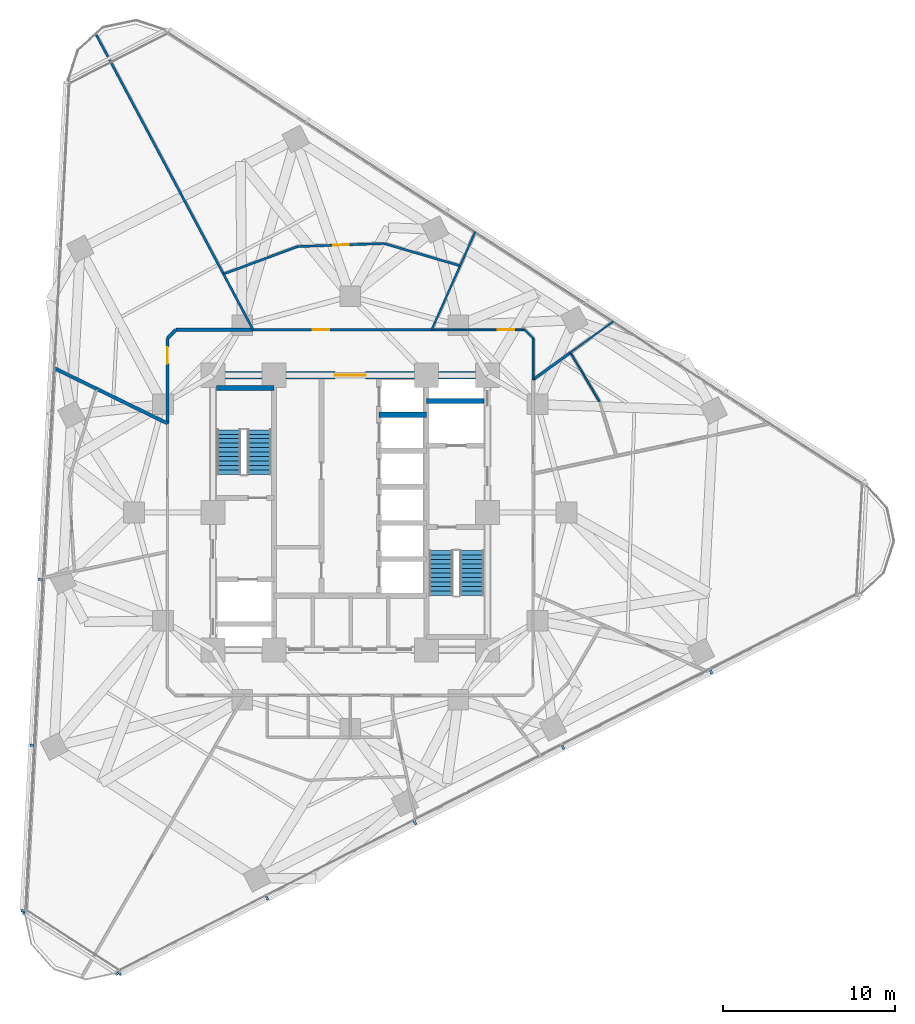
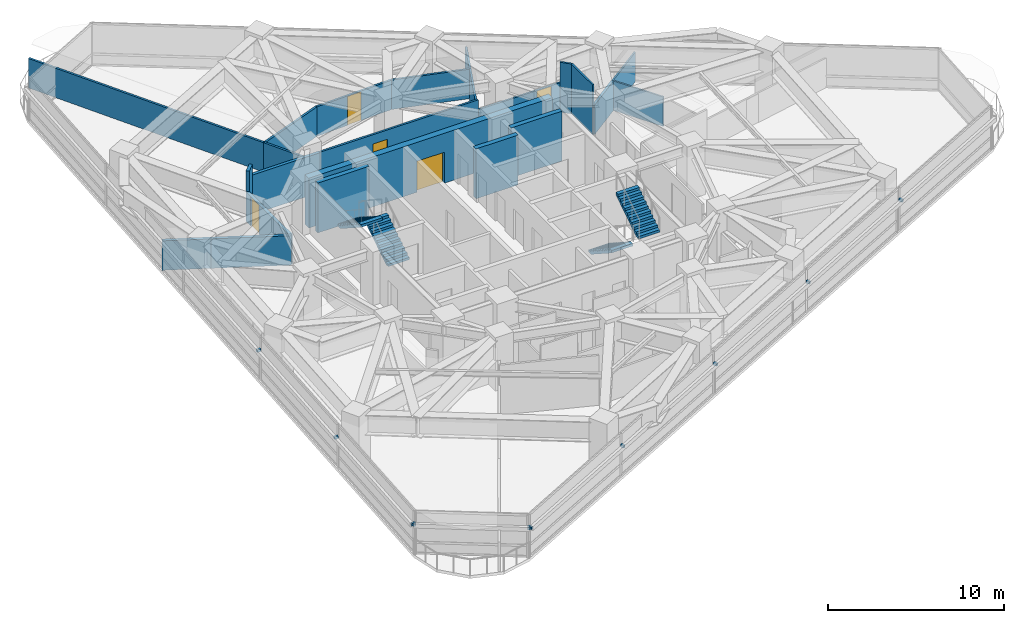
# One storey, part 11 of 15: 23 walls, 10 discrete accessories, 5 doors, 4 stair flights, 5 openings, 2 elements without a shape of their own.
"""IFC4 building model written with IfcOpenShell, lengths in metres."""

from ifc_helpers import new_model, si_unit, direction, frame, frame_2d, origin, origin_2d, place, context, subcontext, project, spatial, polyline, rectangle, outline, extrude, material, layer, layer_set, type_object, element, fill, aggregate, save


model = new_model("IFC4")

# Units and contexts
model_context = context("Model", 3, precision=1e-05, world=origin(), true_north=direction((0.0, 1.0)))
body_context = subcontext(model_context, "Body", "Model", "MODEL_VIEW")
ifc_project = project(units=[si_unit("LENGTHUNIT", "METRE"), si_unit("AREAUNIT", "SQUARE_METRE"), si_unit("VOLUMEUNIT", "CUBIC_METRE"), si_unit("PLANEANGLEUNIT", "RADIAN"), si_unit("MASSUNIT", "GRAM", prefix="KILO")], contexts=[model_context])

# Site, building, storey
site_placement = place(None, origin())
site = spatial("IfcSite", under=ifc_project, at=site_placement, CompositionType="ELEMENT")
building_placement = place(site_placement, origin())
building = spatial("IfcBuilding", under=site, at=building_placement, Name="Terralouvre Media Tower", CompositionType="ELEMENT")
storey_placement = place(building_placement, frame((0.0, 0.0, 145.800048828125)))
storey = spatial("IfcBuildingStorey", under=building, at=storey_placement, Name="L37", CompositionType="ELEMENT", Elevation=145.800048828125)

# Walls
ifc_material_1 = material(Name="Concrete C50/60", Category="concrete")
ifc_layer_1 = layer(ifc_material_1, 0.300048828125, Name="Core Internal Shaft Wall CW-300")
ifc_layer_set_1 = layer_set([ifc_layer_1], Name="Concrete C50/60")
wall_type_1 = type_object("IfcWallType", Name="Core Internal Shaft Wall CW-300", PredefinedType="SHEAR", material=ifc_layer_set_1)
for number, where, z_axis, x_axis, name in (
    (1, (-7.7900390625, 7.260009765625, 0.0), (0.0, 0.0, 1.0), (1.0, 0.0, 0.0), "L37 Core Shaft Wall ST1F"),
    (2, (4.449951171875, 6.5, 0.0), (0.0, 0.0, 1.0), (1.0, 0.0, 0.0), "L37 Core Shaft Wall FF2N"),
):
    element("IfcWall", number, at=place(storey_placement, frame(where, z_axis=z_axis, x_axis=x_axis)), inside=storey, type_object=wall_type_1, Name=name, PredefinedType="SHEAR", context=body_context, shape_type="SweptSolid", body=[
        extrude(rectangle(XDim=3.340087890625, YDim=0.300048828125, at=frame_2d((1.669921875, 0.0))), origin(), (0.0, 0.0, 1.0), 3.4599609375),
    ])
wall_1_placement = place(storey_placement, frame((1.679931640625, 5.699951171875, 0.0), z_axis=(0.0, 0.0, 1.0), x_axis=(1.0, 0.0, 0.0)))
element("IfcWall", 3, at=wall_1_placement, inside=storey, type_object=wall_type_1, Name="L37 Core Shaft Wall PLMD2", PredefinedType="SHEAR", context=body_context, shape_type="SweptSolid", body=[
    extrude(rectangle(XDim=2.77001953125, YDim=0.300048828125, at=frame_2d((1.385009765625, 0.0))), origin(), (0.0, 0.0, 1.0), 3.4599609375),
])

# Wall, opening, door
ifc_material_2 = material(Name="Concrete C60/75", Category="concrete")
ifc_layer_2 = layer(ifc_material_2, 0.419921875, Name="Core Reinforced Concrete Shear Wall CW-420")
ifc_layer_set_2 = layer_set([ifc_layer_2], Name="Concrete C60/75")
wall_type_2 = type_object("IfcWallType", Name="Core Reinforced Concrete Shear Wall CW-420", PredefinedType="SHEAR", material=ifc_layer_set_2)
wall_2_placement = place(storey_placement, frame((-8.0, 8.0, 0.0), z_axis=(0.0, 0.0, 1.0), x_axis=(1.0, 0.0, 0.0)))
wall_2 = element("IfcWall", 4, at=wall_2_placement, inside=storey, type_object=wall_type_2, Name="L37 N Core Shear Wall", PredefinedType="SHEAR", context=body_context, shape_type="SweptSolid", body=[
    extrude(rectangle(XDim=16.0, YDim=0.419921875, at=frame_2d((8.0, 0.0))), origin(), (0.0, 0.0, 1.0), 3.4599609375),
])
opening_1_placement = place(wall_2_placement, frame((7.10009765625, 0.0, 0.0)))
opening_1 = element("IfcOpeningElement", 5, at=opening_1_placement, cuts=wall_2, Name="Opening FD-03", PredefinedType="OPENING", context=body_context, shape_type="SweptSolid", body=[
    extrude(rectangle(XDim=1.800048828125, YDim=2.14990234375, at=frame_2d((0.89990234375, 1.074951171875))), frame((0.0, 0.219970703125, 0.0), z_axis=(0.0, -1.0, 0.0), x_axis=(1.0, 0.0, 0.0)), (0.0, 0.0, 1.0), 0.43994140625),
])
ifc_material_3 = material(Name="Galvanised steel fire-resisting leaf", Category="steel")
door_type_1 = type_object("IfcDoorType", Name="Corridor Smoke-Control Double Door FD-03", OperationType="DOUBLE_DOOR_SINGLE_SWING", PredefinedType="DOOR", material=ifc_material_3)
door_1_placement = place(opening_1_placement, origin())
door_1 = element("IfcDoor", 6, at=door_1_placement, inside=storey, type_object=door_type_1, Name="L37 Central Lift Lobby Portal Door", OperationType="DOUBLE_DOOR_SINGLE_SWING", OverallHeight=2.14990234375, OverallWidth=1.800048828125, PredefinedType="DOOR", context=body_context, shape_type="SweptSolid", body=[
    extrude(rectangle(XDim=1.800048828125, YDim=2.14990234375, at=frame_2d((0.89990234375, 1.074951171875))), frame((0.0, 0.02490234375, 0.0), z_axis=(0.0, -1.0, 0.0), x_axis=(1.0, 0.0, 0.0)), (0.0, 0.0, 1.0), 0.050048828125),
])
fill(opening_1, door_1)

# Walls
ifc_material_4 = material(Name="Low-iron laminated double glazing with solar-control coating", Category="glass")
ifc_layer_3 = layer(ifc_material_4, 0.10009765625, Name="Demountable Glazed Office Partition PT-GL100")
ifc_layer_set_3 = layer_set([ifc_layer_3], Name="Low-iron laminated double glazing with solar-control coating")
wall_type_3 = type_object("IfcWallType", Name="Demountable Glazed Office Partition PT-GL100", PredefinedType="MOVABLE", material=ifc_layer_set_3)
wall_3_placement = place(storey_placement, frame((12.827880859375, 9.320068359375, 0.0), z_axis=(0.0, 0.0, 1.0), x_axis=(0.511214896397, -0.859452924657, 0.0)))
element("IfcWall", 7, at=wall_3_placement, inside=storey, type_object=wall_type_3, Name="L37 Interior Partition 046", PredefinedType="MOVABLE", context=body_context, shape_type="SweptSolid", body=[
    extrude(rectangle(XDim=3.319580078125, YDim=0.10009765625, at=frame_2d((1.65966796875, 0.0))), origin(), (0.0, 0.0, 1.0), 2.044921875),
])
wall_4_placement = place(storey_placement, frame((15.331298828125, 11.138916015625, 0.0), z_axis=(0.0, 0.0, 1.0), x_axis=(-0.809015759361, -0.58778695214, 0.0)))
element("IfcWall", 8, at=wall_4_placement, inside=storey, type_object=wall_type_3, Name="L37 Interior Partition 048", PredefinedType="MOVABLE", context=body_context, shape_type="SweptSolid", body=[
    extrude(rectangle(XDim=3.094482421875, YDim=0.10009765625, at=frame_2d((1.54736328125, 0.0))), origin(), (0.0, 0.0, 1.0), 2.044921875),
])
ifc_material_5 = material(Name="Fire-rated gypsum board drywall partition")
ifc_layer_4 = layer(ifc_material_5, 0.199951171875, Name="Fire-Rated Shaft and Lobby Partition FW-200")
ifc_layer_set_4 = layer_set([ifc_layer_4], Name="Fire-rated gypsum board drywall partition")
wall_type_4 = type_object("IfcWallType", Name="Fire-Rated Shaft and Lobby Partition FW-200", PredefinedType="SOLIDWALL", material=ifc_layer_set_4)
wall_5_placement = place(storey_placement, frame((-5.6630859375, 10.64990234375, 0.0), z_axis=(0.0, 0.0, 1.0), x_axis=(-1.0, 0.0, 0.0)))
element("IfcWall", 9, at=wall_5_placement, inside=storey, type_object=wall_type_4, Name="L37 Interior Partition 018", PredefinedType="SOLIDWALL", context=body_context, shape_type="SweptSolid", body=[
    extrude(rectangle(XDim=4.48681640625, YDim=0.199951171875, at=frame_2d((2.243408203125, 0.0))), origin(), (0.0, 0.0, 1.0), 2.744873046875),
])
wall_6_placement = place(storey_placement, frame((-10.14990234375, 10.64990234375, 0.0), z_axis=(0.0, 0.0, 1.0), x_axis=(-0.707106781187, -0.707106781187, 0.0)))
element("IfcWall", 10, at=wall_6_placement, inside=storey, type_object=wall_type_4, Name="L37 Interior Partition 019", PredefinedType="SOLIDWALL", context=body_context, shape_type="SweptSolid", body=[
    extrude(rectangle(XDim=0.70703125, YDim=0.199951171875, at=frame_2d((0.353515625, 0.0))), origin(), (0.0, 0.0, 1.0), 3.4599609375),
])

# Wall, opening, door
wall_7_placement = place(storey_placement, frame((-10.64990234375, 10.14990234375, 0.0), z_axis=(0.0, 0.0, 1.0), x_axis=(0.0, -1.0, 0.0)))
wall_7 = element("IfcWall", 11, at=wall_7_placement, inside=storey, type_object=wall_type_4, Name="L37 Interior Partition 020", PredefinedType="SOLIDWALL", context=body_context, shape_type="SweptSolid", body=[
    extrude(rectangle(XDim=4.955810546875, YDim=0.199951171875, at=frame_2d((2.47802734375, 0.0))), origin(), (0.0, 0.0, 1.0), 2.044921875),
])
opening_2_placement = place(wall_7_placement, frame((0.51611328125, 0.0, 0.0)))
opening_2 = element("IfcOpeningElement", 12, at=opening_2_placement, cuts=wall_7, Name="Opening FD-02", PredefinedType="OPENING", context=body_context, shape_type="SweptSolid", body=[
    extrude(rectangle(XDim=0.949951171875, YDim=2.0, at=frame_2d((0.47509765625, 1.0))), frame((0.0, 0.10986328125, 0.0), z_axis=(0.0, -1.0, 0.0), x_axis=(1.0, 0.0, 0.0)), (0.0, 0.0, 1.0), 0.219970703125),
])
ifc_material_6 = material(Name="Galvanised steel fire-resisting leaf", Category="steel")
door_type_2 = type_object("IfcDoorType", Name="Plant and Riser Fire Door FD-02", OperationType="NOTDEFINED", PredefinedType="DOOR", material=ifc_material_6)
door_2_placement = place(opening_2_placement, origin())
door_2 = element("IfcDoor", 13, at=door_2_placement, inside=storey, type_object=door_type_2, Name="L37 IDF Comms Server Room 13 Door", OperationType="SINGLE_SWING_RIGHT", OverallHeight=2.0, OverallWidth=0.949951171875, PredefinedType="DOOR", context=body_context, shape_type="SweptSolid", body=[
    extrude(rectangle(XDim=0.949951171875, YDim=2.0, at=frame_2d((0.47509765625, 1.0))), frame((0.0, 0.02490234375, 0.0), z_axis=(0.0, -1.0, 0.0), x_axis=(1.0, 0.0, 0.0)), (0.0, 0.0, 1.0), 0.050048828125),
])
fill(opening_2, door_2)

# Walls
wall_8_placement = place(storey_placement, frame((-17.274658203125, 8.4248046875, 0.0), z_axis=(0.0, 0.0, 1.0), x_axis=(0.898962499014, -0.438025598985, 0.0)))
element("IfcWall", 14, at=wall_8_placement, inside=storey, type_object=wall_type_4, Name="L37 Interior Partition 057", PredefinedType="SOLIDWALL", context=body_context, shape_type="SweptSolid", body=[
    extrude(rectangle(XDim=2.791748046875, YDim=0.199951171875, at=frame_2d((1.39599609375, 0.0))), origin(), (0.0, 0.0, 1.0), 2.044921875),
])
wall_9_placement = place(storey_placement, frame((-14.764892578125, 7.201904296875, 0.0), z_axis=(0.0, 0.0, 1.0), x_axis=(0.898725395048, -0.438511874748, 0.0)))
element("IfcWall", 15, at=wall_9_placement, inside=storey, type_object=wall_type_4, Name="L37 Interior Partition 058", PredefinedType="SOLIDWALL", context=body_context, shape_type="SweptSolid", body=[
    extrude(rectangle(XDim=4.57861328125, YDim=0.199951171875, at=frame_2d((2.289306640625, 0.0))), origin(), (0.0, 0.0, 1.0), 2.044921875),
])

# Wall, opening, door
ifc_material_7 = material(Name="Fire-rated gypsum board drywall partition")
ifc_layer_5 = layer(ifc_material_7, 0.135009765625, Name="Newsroom Acoustic Partition PT-135")
ifc_layer_set_5 = layer_set([ifc_layer_5], Name="Fire-rated gypsum board drywall partition")
wall_type_5 = type_object("IfcWallType", Name="Newsroom Acoustic Partition PT-135", PredefinedType="PARTITIONING", material=ifc_layer_set_5)
wall_10_placement = place(storey_placement, frame((4.741943359375, 10.64990234375, 0.0), z_axis=(0.0, 0.0, 1.0), x_axis=(-1.0, 0.0, 0.0)))
wall_10 = element("IfcWall", 16, at=wall_10_placement, inside=storey, type_object=wall_type_5, Name="L37 Interior Partition 017", PredefinedType="PARTITIONING", context=body_context, shape_type="SweptSolid", body=[
    extrude(rectangle(XDim=10.405029296875, YDim=0.135009765625, at=frame_2d((5.20263671875, 0.0))), origin(), (0.0, 0.0, 1.0), 2.744873046875),
])
opening_3_placement = place(wall_10_placement, frame((5.97607421875, 0.0, 0.0)))
opening_3 = element("IfcOpeningElement", 17, at=opening_3_placement, cuts=wall_10, Name="Opening ID-02-95X210", PredefinedType="OPENING", context=body_context, shape_type="SweptSolid", body=[
    extrude(rectangle(XDim=0.949951171875, YDim=2.10009765625, at=frame_2d((0.47509765625, 1.050048828125))), frame((0.0, 0.077392578125, 0.0), z_axis=(0.0, -1.0, 0.0), x_axis=(1.0, 0.0, 0.0)), (0.0, 0.0, 1.0), 0.155029296875),
])
ifc_material_8 = material(Name="Engineered hardwood acoustic timber leaf", Category="wood")
door_type_3 = type_object("IfcDoorType", Name="Office and Meeting Room Door ID-02 (950x2100)", OperationType="NOTDEFINED", PredefinedType="DOOR", material=ifc_material_8)
door_3_placement = place(opening_3_placement, origin())
door_3 = element("IfcDoor", 18, at=door_3_placement, inside=storey, type_object=door_type_3, Name="L37 Press Tape Archive Storage 11 Door", OperationType="SINGLE_SWING_LEFT", OverallHeight=2.10009765625, OverallWidth=0.949951171875, PredefinedType="DOOR", context=body_context, shape_type="SweptSolid", body=[
    extrude(rectangle(XDim=0.949951171875, YDim=2.10009765625, at=frame_2d((0.47509765625, 1.050048828125))), frame((0.0, 0.02490234375, 0.0), z_axis=(0.0, -1.0, 0.0), x_axis=(1.0, 0.0, 0.0)), (0.0, 0.0, 1.0), 0.050048828125),
])
fill(opening_3, door_3)

# Wall
wall_11_placement = place(storey_placement, frame((6.402099609375, 14.3779296875, 0.0), z_axis=(0.0, 0.0, 1.0), x_axis=(-0.959611810986, 0.2813275177, 0.0)))
element("IfcWall", 19, at=wall_11_placement, inside=storey, type_object=wall_type_5, Name="L37 Interior Partition 052", PredefinedType="PARTITIONING", context=body_context, shape_type="SweptSolid", body=[
    extrude(rectangle(XDim=4.61767578125, YDim=0.135009765625, at=frame_2d((2.308837890625, 0.0))), origin(), (0.0, 0.0, 1.0), 2.044921875),
])

# Wall, opening, door
wall_12_placement = place(storey_placement, frame((1.970947265625, 15.677001953125, 0.0), z_axis=(0.0, 0.0, 1.0), x_axis=(-0.999388477448, -0.034966714817, 0.0)))
wall_12 = element("IfcWall", 20, at=wall_12_placement, inside=storey, type_object=wall_type_5, Name="L37 Interior Partition 053", PredefinedType="PARTITIONING", context=body_context, shape_type="SweptSolid", body=[
    extrude(rectangle(XDim=5.0341796875, YDim=0.135009765625, at=frame_2d((2.51708984375, 0.0))), origin(), (0.0, 0.0, 1.0), 2.044921875),
])
opening_4_placement = place(wall_12_placement, frame((2.056884765625, 0.0, 0.0)))
opening_4 = element("IfcOpeningElement", 21, at=opening_4_placement, cuts=wall_12, Name="Opening ID-03", PredefinedType="OPENING", context=body_context, shape_type="SweptSolid", body=[
    extrude(rectangle(XDim=0.919921875, YDim=2.0, at=frame_2d((0.4599609375, 1.0))), frame((0.0, 0.077392578125, 0.0), z_axis=(0.0, -1.0, 0.0), x_axis=(1.0, 0.0, 0.0)), (0.0, 0.0, 1.0), 0.155029296875),
])
ifc_material_9 = material(Name="Engineered hardwood acoustic timber leaf", Category="wood")
door_type_4 = type_object("IfcDoorType", Name="Accessible Restroom and Suite Door ID-03", OperationType="NOTDEFINED", PredefinedType="DOOR", material=ifc_material_9)
door_4_placement = place(opening_4_placement, origin())
door_4 = element("IfcDoor", 22, at=door_4_placement, inside=storey, type_object=door_type_4, Name="L37 Anchor Green Lounge 12 Door", OperationType="SINGLE_SWING_RIGHT", OverallHeight=2.0, OverallWidth=0.919921875, PredefinedType="DOOR", context=body_context, shape_type="SweptSolid", body=[
    extrude(rectangle(XDim=0.919921875, YDim=2.0, at=frame_2d((0.4599609375, 1.0))), frame((0.0, 0.02490234375, 0.0), z_axis=(0.0, -1.0, 0.0), x_axis=(1.0, 0.0, 0.0)), (0.0, 0.0, 1.0), 0.050048828125),
])
fill(opening_4, door_4)

# Walls
wall_13_placement = place(storey_placement, frame((-3.06005859375, 15.5009765625, 0.0), z_axis=(0.0, 0.0, 1.0), x_axis=(-0.937697715957, -0.347452145611, 0.0)))
element("IfcWall", 23, at=wall_13_placement, inside=storey, type_object=wall_type_5, Name="L37 Interior Partition 054", PredefinedType="PARTITIONING", context=body_context, shape_type="SweptSolid", body=[
    extrude(rectangle(XDim=4.616455078125, YDim=0.135009765625, at=frame_2d((2.30810546875, 0.0))), origin(), (0.0, 0.0, 1.0), 2.044921875),
])
wall_14_placement = place(storey_placement, frame((-7.388916015625, 13.89697265625, 0.0), z_axis=(0.0, 0.0, 1.0), x_axis=(0.469329971657, -0.883022863636, 0.0)))
element("IfcWall", 24, at=wall_14_placement, inside=storey, type_object=wall_type_5, Name="L37 Interior Partition 055", PredefinedType="PARTITIONING", context=body_context, shape_type="SweptSolid", body=[
    extrude(rectangle(XDim=3.67724609375, YDim=0.135009765625, at=frame_2d((1.838623046875, 0.0))), origin(), (0.0, 0.0, 1.0), 2.044921875),
])
wall_15_placement = place(storey_placement, frame((-14.797119140625, 27.828857421875, 0.0), z_axis=(0.0, 0.0, 1.0), x_axis=(0.469495702595, -0.882934757072, 0.0)))
element("IfcWall", 25, at=wall_15_placement, inside=storey, type_object=wall_type_5, Name="L37 Interior Partition 056", PredefinedType="PARTITIONING", context=body_context, shape_type="SweptSolid", body=[
    extrude(rectangle(XDim=15.779052734375, YDim=0.135009765625, at=frame_2d((7.8896484375, 0.0))), origin(), (0.0, 0.0, 1.0), 2.044921875),
])
ifc_material_10 = material(Name="Fire-rated gypsum board drywall partition")
ifc_layer_6 = layer(ifc_material_10, 0.114990234375, Name="Restroom and Pantry Partition PT-115")
ifc_layer_set_6 = layer_set([ifc_layer_6], Name="Fire-rated gypsum board drywall partition")
wall_type_6 = type_object("IfcWallType", Name="Restroom and Pantry Partition PT-115", PredefinedType="PARTITIONING", material=ifc_layer_set_6)
wall_16_placement = place(storey_placement, frame((10.64990234375, 7.738037109375, 0.0), z_axis=(0.0, 0.0, 1.0), x_axis=(0.0, 1.0, 0.0)))
element("IfcWall", 26, at=wall_16_placement, inside=storey, type_object=wall_type_6, Name="L37 Interior Partition 014", PredefinedType="PARTITIONING", context=body_context, shape_type="SweptSolid", body=[
    extrude(rectangle(XDim=2.411865234375, YDim=0.114990234375, at=frame_2d((1.2060546875, 0.0))), origin(), (0.0, 0.0, 1.0), 3.4599609375),
])
wall_17_placement = place(storey_placement, frame((10.64990234375, 10.14990234375, 0.0), z_axis=(0.0, 0.0, 1.0), x_axis=(-0.707106781187, 0.707106781187, 0.0)))
element("IfcWall", 27, at=wall_17_placement, inside=storey, type_object=wall_type_6, Name="L37 Interior Partition 015", PredefinedType="PARTITIONING", context=body_context, shape_type="SweptSolid", body=[
    extrude(rectangle(XDim=0.70703125, YDim=0.114990234375, at=frame_2d((0.353515625, 0.0))), origin(), (0.0, 0.0, 1.0), 3.4599609375),
])

# Wall, opening, door
wall_18_placement = place(storey_placement, frame((10.14990234375, 10.64990234375, 0.0), z_axis=(0.0, 0.0, 1.0), x_axis=(-1.0, 0.0, 0.0)))
wall_18 = element("IfcWall", 28, at=wall_18_placement, inside=storey, type_object=wall_type_6, Name="L37 Interior Partition 016", PredefinedType="PARTITIONING", context=body_context, shape_type="SweptSolid", body=[
    extrude(rectangle(XDim=5.407958984375, YDim=0.114990234375, at=frame_2d((2.7041015625, 0.0))), origin(), (0.0, 0.0, 1.0), 2.044921875),
])
opening_5_placement = place(wall_18_placement, frame((0.606689453125, 0.0, 0.0)))
opening_5 = element("IfcOpeningElement", 29, at=opening_5_placement, cuts=wall_18, Name="Opening SD-01", PredefinedType="OPENING", context=body_context, shape_type="SweptSolid", body=[
    extrude(rectangle(XDim=0.949951171875, YDim=2.0, at=frame_2d((0.47509765625, 1.0))), frame((0.0, 0.0673828125, 0.0), z_axis=(0.0, -1.0, 0.0), x_axis=(1.0, 0.0, 0.0)), (0.0, 0.0, 1.0), 0.135009765625),
])
ifc_material_11 = material(Name="Anodised extruded aluminium 6063-T6", Category="aluminium")
door_type_5 = type_object("IfcDoorType", Name="Pantry Pocket Sliding Door SD-01", OperationType="SLIDING_TO_LEFT", PredefinedType="DOOR", material=ifc_material_11)
door_5_placement = place(opening_5_placement, origin())
door_5 = element("IfcDoor", 30, at=door_5_placement, inside=storey, type_object=door_type_5, Name="L37 Newsroom Tea Pantry 10 Door", OperationType="SLIDING_TO_LEFT", OverallHeight=2.0, OverallWidth=0.949951171875, PredefinedType="DOOR", context=body_context, shape_type="SweptSolid", body=[
    extrude(rectangle(XDim=0.949951171875, YDim=2.0, at=frame_2d((0.47509765625, 1.0))), frame((0.0, 0.02490234375, 0.0), z_axis=(0.0, -1.0, 0.0), x_axis=(1.0, 0.0, 0.0)), (0.0, 0.0, 1.0), 0.050048828125),
])
fill(opening_5, door_5)

# Walls
wall_19_placement = place(storey_placement, frame((6.402099609375, 14.3779296875, 0.0), z_axis=(0.0, 0.0, 1.0), x_axis=(-0.406804441844, -0.913515268671, 0.0)))
element("IfcWall", 31, at=wall_19_placement, inside=storey, type_object=wall_type_6, Name="L37 Interior Partition 050", PredefinedType="PARTITIONING", context=body_context, shape_type="SweptSolid", body=[
    extrude(rectangle(XDim=4.0810546875, YDim=0.114990234375, at=frame_2d((2.04052734375, 0.0))), origin(), (0.0, 0.0, 1.0), 2.044921875),
])
wall_20_placement = place(storey_placement, frame((7.285400390625, 16.364013671875, 0.0), z_axis=(0.0, 0.0, 1.0), x_axis=(-0.406367721617, -0.913709622817, 0.0)))
element("IfcWall", 32, at=wall_20_placement, inside=storey, type_object=wall_type_6, Name="L37 Interior Partition 051", PredefinedType="PARTITIONING", context=body_context, shape_type="SweptSolid", body=[
    extrude(rectangle(XDim=2.173583984375, YDim=0.114990234375, at=frame_2d((1.0869140625, 0.0))), origin(), (0.0, 0.0, 1.0), 2.044921875),
])
ifc_material_12 = material(Name="Fire-rated gypsum board drywall partition")
ifc_layer_7 = layer(ifc_material_12, 0.159912109375, Name="Studio Acoustic Rated Partition PT-160")
ifc_layer_set_7 = layer_set([ifc_layer_7], Name="Fire-rated gypsum board drywall partition")
wall_type_7 = type_object("IfcWallType", Name="Studio Acoustic Rated Partition PT-160", PredefinedType="PARTITIONING", material=ifc_layer_set_7)
wall_21_placement = place(storey_placement, frame((12.827880859375, 9.320068359375, 0.0), z_axis=(0.0, 0.0, 1.0), x_axis=(-0.809081072469, -0.587697046251, 0.0)))
element("IfcWall", 33, at=wall_21_placement, inside=storey, type_object=wall_type_7, Name="L37 Interior Partition 049", PredefinedType="PARTITIONING", context=body_context, shape_type="SweptSolid", body=[
    extrude(rectangle(XDim=2.69189453125, YDim=0.159912109375, at=frame_2d((1.345947265625, 0.0))), origin(), (0.0, 0.0, 1.0), 2.044921875),
])

# Stair, stair flights
ifc_material_13 = material(Name="Concrete C45/55", Category="concrete")
stair_type_1 = type_object("IfcStairType", Name="Dogleg Stair Assembly ST-01", PredefinedType="HALF_TURN_STAIR", material=ifc_material_13)
stair_1_placement = place(storey_placement, origin())
stair_1 = element("IfcStair", 34, at=stair_1_placement, inside=storey, type_object=stair_type_1, Name="L37 Core Pressurised Exit Stair ST-01", PredefinedType="HALF_TURN_STAIR")
ifc_material_14 = material(Name="Concrete C45/55", Category="concrete")
stair_flight_type = type_object("IfcStairFlightType", Name="Reinforced Concrete Stair Flight SF-RC1", PredefinedType="STRAIGHT", material=ifc_material_14)
stair_flight_1_placement = place(storey_placement, frame((-5.300048828125, 2.219970703125, 0.0), z_axis=(0.0, 0.0, 1.0), x_axis=(0.0, 1.0, 0.0)))
stair_flight_1 = element("IfcStairFlight", 35, at=stair_flight_1_placement, type_object=stair_flight_type, Name="ST-01 flight 1", NumberOfRisers=11, NumberOfTreads=10, PredefinedType="STRAIGHT", RiserHeight=0.168181818, TreadLength=0.26, context=body_context, shape_type="SweptSolid", body=[
    extrude(outline(polyline([(0.0, 0.0), (0.0, 0.168212890625), (0.260009765625, 0.168212890625), (0.260009765625, 0.33642578125), (0.52001953125, 0.33642578125), (0.52001953125, 0.504638671875), (0.780029296875, 0.504638671875), (0.780029296875, 0.672607421875), (1.0400390625, 0.672607421875), (1.0400390625, 0.8408203125), (1.300048828125, 0.8408203125), (1.300048828125, 1.009033203125), (1.56005859375, 1.009033203125), (1.56005859375, 1.17724609375), (1.820068359375, 1.17724609375), (1.820068359375, 1.345458984375), (2.080078125, 1.345458984375), (2.080078125, 1.513671875), (2.340087890625, 1.513671875), (2.340087890625, 1.681884765625), (2.60009765625, 1.681884765625), (2.60009765625, 1.85009765625), (2.60009765625, 1.503173828125), (0.27587890625, 0.0), (0.0, 0.0)])), frame((0.0, 0.699951171875, 0.0), z_axis=(0.0, -1.0, 0.0), x_axis=(1.0, 0.0, 0.0)), (0.0, 0.0, 1.0), 1.39990234375),
])
stair_flight_2_placement = place(storey_placement, frame((-7.080078125, 4.820068359375, 1.849853515625), z_axis=(0.0, 0.0, 1.0), x_axis=(0.0, -1.0, 0.0)))
stair_flight_2 = element("IfcStairFlight", 36, at=stair_flight_2_placement, type_object=stair_flight_type, Name="ST-01 flight 2", NumberOfRisers=11, NumberOfTreads=10, PredefinedType="STRAIGHT", RiserHeight=0.168181818, TreadLength=0.26, context=body_context, shape_type="SweptSolid", body=[
    extrude(outline(polyline([(0.0, 0.0), (0.0, 0.168212890625), (0.260009765625, 0.168212890625), (0.260009765625, 0.33642578125), (0.52001953125, 0.33642578125), (0.52001953125, 0.504638671875), (0.780029296875, 0.504638671875), (0.780029296875, 0.672607421875), (1.0400390625, 0.672607421875), (1.0400390625, 0.8408203125), (1.300048828125, 0.8408203125), (1.300048828125, 1.009033203125), (1.56005859375, 1.009033203125), (1.56005859375, 1.17724609375), (1.820068359375, 1.17724609375), (1.820068359375, 1.345458984375), (2.080078125, 1.345458984375), (2.080078125, 1.513671875), (2.340087890625, 1.513671875), (2.340087890625, 1.681884765625), (2.60009765625, 1.681884765625), (2.60009765625, 1.85009765625), (2.60009765625, 1.503173828125), (0.27587890625, 0.0), (0.0, 0.0)])), frame((0.0, 0.699951171875, 0.0), z_axis=(0.0, -1.0, 0.0), x_axis=(1.0, 0.0, 0.0)), (0.0, 0.0, 1.0), 1.39990234375),
])
aggregate(stair_1, [stair_flight_1, stair_flight_2])

ifc_material_15 = material(Name="Concrete C45/55", Category="concrete")
stair_type_2 = type_object("IfcStairType", Name="Dogleg Stair Assembly ST-02", PredefinedType="HALF_TURN_STAIR", material=ifc_material_15)
stair_2_placement = place(storey_placement, origin())
stair_2 = element("IfcStair", 37, at=stair_2_placement, inside=storey, type_object=stair_type_2, Name="L37 Core Pressurised Exit Stair ST-02", PredefinedType="HALF_TURN_STAIR")
stair_flight_3_placement = place(storey_placement, frame((5.300048828125, -2.219970703125, 0.0), z_axis=(0.0, 0.0, 1.0), x_axis=(0.0, -1.0, 0.0)))
stair_flight_3 = element("IfcStairFlight", 38, at=stair_flight_3_placement, type_object=stair_flight_type, Name="ST-02 flight 1", NumberOfRisers=11, NumberOfTreads=10, PredefinedType="STRAIGHT", RiserHeight=0.168181818, TreadLength=0.26, context=body_context, shape_type="SweptSolid", body=[
    extrude(outline(polyline([(0.0, 0.0), (0.0, 0.168212890625), (0.260009765625, 0.168212890625), (0.260009765625, 0.33642578125), (0.52001953125, 0.33642578125), (0.52001953125, 0.504638671875), (0.780029296875, 0.504638671875), (0.780029296875, 0.672607421875), (1.0400390625, 0.672607421875), (1.0400390625, 0.8408203125), (1.300048828125, 0.8408203125), (1.300048828125, 1.009033203125), (1.56005859375, 1.009033203125), (1.56005859375, 1.17724609375), (1.820068359375, 1.17724609375), (1.820068359375, 1.345458984375), (2.080078125, 1.345458984375), (2.080078125, 1.513671875), (2.340087890625, 1.513671875), (2.340087890625, 1.681884765625), (2.60009765625, 1.681884765625), (2.60009765625, 1.85009765625), (2.60009765625, 1.503173828125), (0.27587890625, 0.0), (0.0, 0.0)])), frame((0.0, 0.699951171875, 0.0), z_axis=(0.0, -1.0, 0.0), x_axis=(1.0, 0.0, 0.0)), (0.0, 0.0, 1.0), 1.39990234375),
])
stair_flight_4_placement = place(storey_placement, frame((7.080078125, -4.820068359375, 1.849853515625), z_axis=(0.0, 0.0, 1.0), x_axis=(0.0, 1.0, 0.0)))
stair_flight_4 = element("IfcStairFlight", 39, at=stair_flight_4_placement, type_object=stair_flight_type, Name="ST-02 flight 2", NumberOfRisers=11, NumberOfTreads=10, PredefinedType="STRAIGHT", RiserHeight=0.168181818, TreadLength=0.26, context=body_context, shape_type="SweptSolid", body=[
    extrude(outline(polyline([(0.0, 0.0), (0.0, 0.168212890625), (0.260009765625, 0.168212890625), (0.260009765625, 0.33642578125), (0.52001953125, 0.33642578125), (0.52001953125, 0.504638671875), (0.780029296875, 0.504638671875), (0.780029296875, 0.672607421875), (1.0400390625, 0.672607421875), (1.0400390625, 0.8408203125), (1.300048828125, 0.8408203125), (1.300048828125, 1.009033203125), (1.56005859375, 1.009033203125), (1.56005859375, 1.17724609375), (1.820068359375, 1.17724609375), (1.820068359375, 1.345458984375), (2.080078125, 1.345458984375), (2.080078125, 1.513671875), (2.340087890625, 1.513671875), (2.340087890625, 1.681884765625), (2.60009765625, 1.681884765625), (2.60009765625, 1.85009765625), (2.60009765625, 1.503173828125), (0.27587890625, 0.0), (0.0, 0.0)])), frame((0.0, 0.699951171875, 0.0), z_axis=(0.0, -1.0, 0.0), x_axis=(1.0, 0.0, 0.0)), (0.0, 0.0, 1.0), 1.39990234375),
])
aggregate(stair_2, [stair_flight_3, stair_flight_4])

# Discrete accessories
ifc_material_16 = material(Name="Anodised extruded aluminium 6063-T6", Category="aluminium")
discrete_accessory_type = type_object("IfcDiscreteAccessoryType", Name="Mullion Stand-Off Baguette Fixing Bracket BK-01", PredefinedType="BRACKET", material=ifc_material_16)
for number, where, z_axis, x_axis, name in (
    (40, (-13.442626953125, -26.840087890625, 2.04931640625), (0.0, 0.0, 1.0), (0.891006501178, 0.4539905449, 0.0), "CW-L37-F0 Baguette Outrigger Bracket 1.01"),
    (41, (-4.85107421875, -22.46240234375, 2.04931640625), (0.0, 0.0, 1.0), (0.891006501178, 0.4539905449, 0.0), "CW-L37-F0 Baguette Outrigger Bracket 1.02"),
    (42, (3.77392578125, -18.06787109375, 2.04931640625), (0.0, 0.0, 1.0), (0.891006501178, 0.4539905449, 0.0), "CW-L37-F0 Baguette Outrigger Bracket 1.03"),
    (43, (12.39892578125, -13.673095703125, 2.04931640625), (0.0, 0.0, 1.0), (0.891006501178, 0.4539905449, 0.0), "CW-L37-F0 Baguette Outrigger Bracket 1.04"),
    (44, (21.02392578125, -9.278564453125, 2.04931640625), (0.0, 0.0, 1.0), (0.891006501178, 0.4539905449, 0.0), "CW-L37-F0 Baguette Outrigger Bracket 1.05"),
    (45, (-18.040771484375, -3.901123046875, 2.04931640625), (0.0, 0.0, 1.0), (-0.052335949864, -0.998629535089, 0.0), "CW-L37-F2 Baguette Outrigger Bracket 1.04"),
    (46, (-18.54736328125, -13.56787109375, 2.04931640625), (0.0, 0.0, 1.0), (-0.052335949864, -0.998629535089, 0.0), "CW-L37-F2 Baguette Outrigger Bracket 1.05"),
    (47, (-19.052001953125, -23.197265625, 2.04931640625), (0.0, 0.0, 1.0), (-0.052335949864, -0.998629535089, 0.0), "CW-L37-F2 Baguette Outrigger Bracket 1.06"),
    (48, (-18.993408203125, -23.27392578125, 2.04931640625), (0.0, 0.0, 1.0), (0.838670390568, -0.544639308152, 0.0), "CW-L37-C0 Baguette Outrigger Bracket 1.01"),
    (49, (-13.536376953125, -26.81787109375, 2.04931640625), (0.0, 0.0, 1.0), (0.838670390568, -0.544639308152, 0.0), "CW-L37-C0 Baguette Outrigger Bracket 1.02"),
):
    element("IfcDiscreteAccessory", number, at=place(storey_placement, frame(where, z_axis=z_axis, x_axis=x_axis)), inside=storey, type_object=discrete_accessory_type, Name=name, PredefinedType="BRACKET", context=body_context, shape_type="SweptSolid", body=[
        extrude(rectangle(XDim=0.139892578125, YDim=0.239990234375, at=origin_2d()), origin(), (0.0, 0.0, 1.0), 0.179931640625),
    ])

save(model, "model.ifc")
